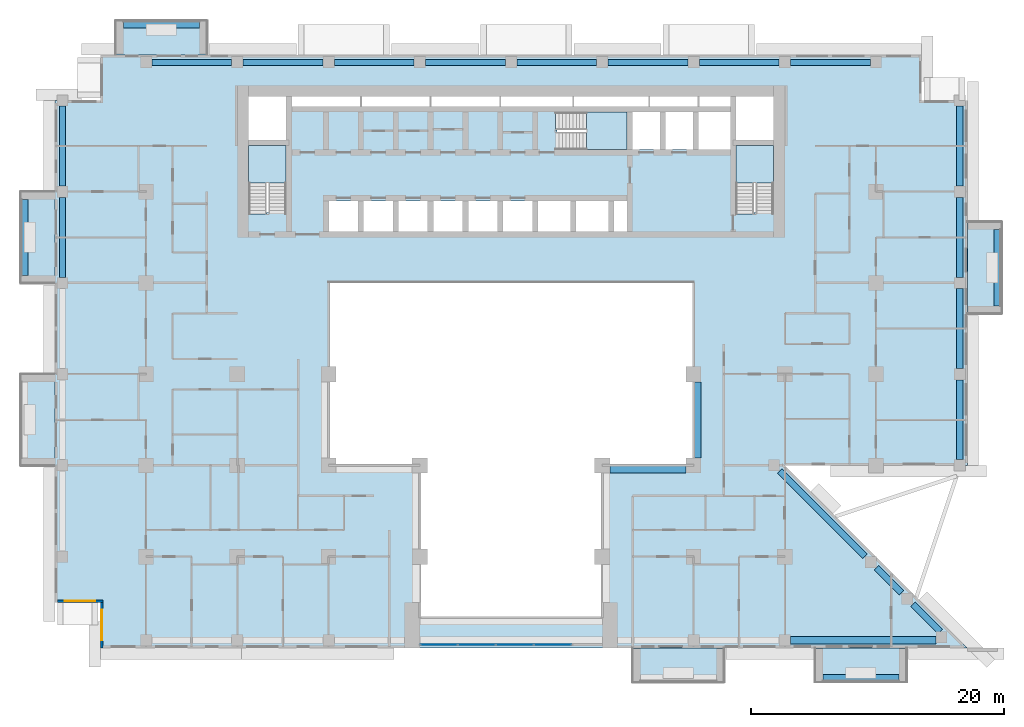
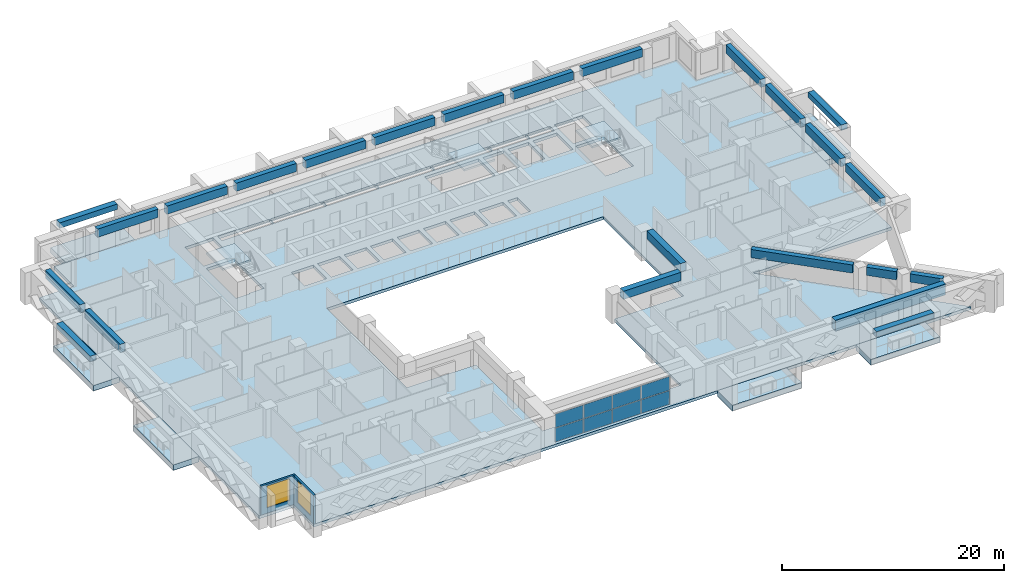
# One storey, part 5 of 17: 24 beams, 10 slabs, 8 plates, 2 walls, 2 windows, 2 openings, 4 elements without a shape of their own.
"""IFC4 building model written with IfcOpenShell, lengths in metres."""

from ifc_helpers import new_model, si_unit, direction, frame, frame_2d, origin, origin_2d, place, context, subcontext, project, spatial, polyline, rectangle, outline, extrude, source, transform, mapped, material, layer, layer_set, material_profile, profile_set, type_object, element, fill, aggregate, save


model = new_model("IFC4")

# Units and contexts
model_context = context("Model", 3, precision=1e-05, world=origin(), true_north=direction((0.0, 1.0)))
body_context = subcontext(model_context, "Body", "Model", "MODEL_VIEW")
ifc_project = project(units=[si_unit("LENGTHUNIT", "METRE"), si_unit("AREAUNIT", "SQUARE_METRE"), si_unit("VOLUMEUNIT", "CUBIC_METRE"), si_unit("PLANEANGLEUNIT", "RADIAN"), si_unit("MASSUNIT", "GRAM", prefix="KILO")], contexts=[model_context])

# Site, building, storey
site_placement = place(None, origin())
site = spatial("IfcSite", under=ifc_project, at=site_placement, CompositionType="ELEMENT")
building_placement = place(site_placement, origin())
building = spatial("IfcBuilding", under=site, at=building_placement, Name="Saffron Iwan Residences", CompositionType="ELEMENT")
storey_placement = place(building_placement, frame((0.0, 0.0, 100.5)))
storey = spatial("IfcBuildingStorey", under=building, at=storey_placement, Name="L26", CompositionType="ELEMENT", Elevation=100.5)

# Beams
ifc_material_1 = material(Name="Concrete C60/75", Category="concrete")
ifc_material_profile_1 = material_profile(ifc_material_1, rectangle(XDim=0.5, YDim=0.89990234375, at=origin_2d()), Name="RC 500x900")
ifc_profile_set_1 = profile_set([ifc_material_profile_1], Name="Concrete C60/75")
beam_type_1 = type_object("IfcBeamType", Name="SPANDREL BEAM RC 500x900 C60/75 TOP 3180", PredefinedType="SPANDREL", material=ifc_profile_set_1)
shared_shape_1 = source(origin(), body_context, "Body", "SweptSolid", [
    extrude(rectangle(XDim=0.5, YDim=0.89990234375, at=origin_2d()), origin(), (0.0, 0.0, 1.0), 6.300048828125),
])
for number, where, z_axis, x_axis, name in (
    (1, (85.800048828125, 54.75, 2.72998046875), (0.0, -1.0, 0.0), (1.0, 0.0, 0.0), "Spandrel beam"),
    (2, (85.800048828125, 61.949951171875, 2.72998046875), (0.0, -1.0, 0.0), (1.0, 0.0, 0.0), "Spandrel beam"),
    (3, (15.0, 70.050048828125, 2.72998046875), (0.0, 1.0, 0.0), (-1.0, 0.0, 0.0), "Spandrel beam"),
    (4, (85.800048828125, 76.35009765625, 2.72998046875), (0.0, -1.0, 0.0), (1.0, 0.0, 0.0), "Spandrel beam"),
    (5, (22.050048828125, 79.800048828125, 2.72998046875), (1.0, 0.0, 0.0), (0.0, 1.0, 0.0), "Spandrel beam"),
    (6, (29.25, 79.800048828125, 2.72998046875), (1.0, 0.0, 0.0), (0.0, 1.0, 0.0), "Spandrel beam"),
    (7, (36.449951171875, 79.800048828125, 2.72998046875), (1.0, 0.0, 0.0), (0.0, 1.0, 0.0), "Spandrel beam"),
    (8, (43.64990234375, 79.800048828125, 2.72998046875), (1.0, 0.0, 0.0), (0.0, 1.0, 0.0), "Spandrel beam"),
    (9, (58.050048828125, 79.800048828125, 2.72998046875), (1.0, 0.0, 0.0), (0.0, 1.0, 0.0), "Spandrel beam"),
    (10, (65.25, 79.800048828125, 2.72998046875), (1.0, 0.0, 0.0), (0.0, 1.0, 0.0), "Spandrel beam"),
    (11, (72.449951171875, 79.800048828125, 2.72998046875), (1.0, 0.0, 0.0), (0.0, 1.0, 0.0), "Spandrel beam"),
):
    element("IfcBeam", number, at=place(storey_placement, frame(where, z_axis=z_axis, x_axis=x_axis)), inside=storey, type_object=beam_type_1, Name=name, PredefinedType="SPANDREL", context=body_context, shape_type="MappedRepresentation", body=[
        mapped(shared_shape_1, transform((0.0, 0.0, 0.0))),
    ])
shared_shape_2 = source(origin(), body_context, "Body", "SweptSolid", [
    extrude(rectangle(XDim=0.5, YDim=0.89990234375, at=origin_2d()), origin(), (0.0, 0.0, 1.0), 3.046142578125),
])
beam_1_placement = place(storey_placement, frame((82.105712890625, 37.0458984375, 2.72998046875), z_axis=(0.707066705991, -0.70714685411, 0.0), x_axis=(0.70714685411, 0.707066705991, 0.0)))
element("IfcBeam", 12, at=beam_1_placement, inside=storey, type_object=beam_type_1, Name="Spandrel beam", PredefinedType="SPANDREL", context=body_context, shape_type="MappedRepresentation", body=[
    mapped(shared_shape_2, transform((0.0, 0.0, 0.0))),
])
shared_shape_3 = source(origin(), body_context, "Body", "SweptSolid", [
    extrude(rectangle(XDim=0.5, YDim=0.89990234375, at=origin_2d()), origin(), (0.0, 0.0, 1.0), 2.80029296875),
])
beam_2_placement = place(storey_placement, frame((79.2255859375, 39.92578125, 2.72998046875), z_axis=(0.707150371901, -0.707063187784, 0.0), x_axis=(0.707063187784, 0.707150371901, 0.0)))
element("IfcBeam", 13, at=beam_2_placement, inside=storey, type_object=beam_type_1, Name="Spandrel beam", PredefinedType="SPANDREL", context=body_context, shape_type="MappedRepresentation", body=[
    mapped(shared_shape_3, transform((0.0, 0.0, 0.0))),
])
shared_shape_4 = source(origin(), body_context, "Body", "SweptSolid", [
    extrude(rectangle(XDim=0.5, YDim=0.89990234375, at=origin_2d()), origin(), (0.0, 0.0, 1.0), 9.511474609375),
])
beam_3_placement = place(storey_placement, frame((71.60009765625, 47.551513671875, 2.72998046875), z_axis=(0.707093947217, -0.707119614923, 0.0), x_axis=(0.707119614923, 0.707093947217, 0.0)))
element("IfcBeam", 14, at=beam_3_placement, inside=storey, type_object=beam_type_1, Name="Spandrel beam", PredefinedType="SPANDREL", context=body_context, shape_type="MappedRepresentation", body=[
    mapped(shared_shape_4, transform((0.0, 0.0, 0.0))),
])
shared_shape_5 = source(origin(), body_context, "Body", "SweptSolid", [
    extrude(rectangle(XDim=0.5, YDim=0.89990234375, at=origin_2d()), origin(), (0.0, 0.0, 1.0), 6.2998046875),
])
for number, where, z_axis, x_axis, name in (
    (15, (15.0, 62.85009765625, 2.72998046875), (0.0, 1.0, 0.0), (-1.0, 0.0, 0.0), "Spandrel beam"),
    (16, (85.800048828125, 69.14990234375, 2.72998046875), (0.0, -1.0, 0.0), (1.0, 0.0, 0.0), "Spandrel beam"),
    (17, (50.85009765625, 79.800048828125, 2.72998046875), (1.0, 0.0, 0.0), (0.0, 1.0, 0.0), "Spandrel beam"),
):
    element("IfcBeam", number, at=place(storey_placement, frame(where, z_axis=z_axis, x_axis=x_axis)), inside=storey, type_object=beam_type_1, Name=name, PredefinedType="SPANDREL", context=body_context, shape_type="MappedRepresentation", body=[
        mapped(shared_shape_5, transform((0.0, 0.0, 0.0))),
    ])
ifc_material_profile_2 = material_profile(ifc_material_1, rectangle(XDim=0.60009765625, YDim=1.199951171875, at=origin_2d()), Name="RC 600x1200")
ifc_profile_set_2 = profile_set([ifc_material_profile_2], Name="Concrete C60/75")
beam_type_2 = type_object("IfcBeamType", Name="LINTEL BEAM RC 600x1200 C60/75 TOP 3180", PredefinedType="LINTEL", material=ifc_profile_set_2)
shared_shape_6 = source(origin(), body_context, "Body", "SweptSolid", [
    extrude(rectangle(XDim=0.60009765625, YDim=1.199951171875, at=origin_2d()), origin(), (0.0, 0.0, 1.0), 11.467529296875),
])
beam_4_placement = place(storey_placement, frame((83.91748046875, 34.199951171875, 2.580078125), z_axis=(-1.0, 0.0, 0.0), x_axis=(0.0, -1.0, 0.0)))
element("IfcBeam", 18, at=beam_4_placement, inside=storey, type_object=beam_type_2, Name="Lintel beam over the iwan", PredefinedType="LINTEL", context=body_context, shape_type="MappedRepresentation", body=[
    mapped(shared_shape_6, transform((0.0, 0.0, 0.0))),
])
ifc_material_profile_3 = material_profile(ifc_material_1, rectangle(XDim=0.60009765625, YDim=0.89990234375, at=origin_2d()), Name="RC 600x900")
ifc_profile_set_3 = profile_set([ifc_material_profile_3], Name="Concrete C60/75")
beam_type_3 = type_object("IfcBeamType", Name="BEAM RC 600x900 C60/75 TOP 3180", PredefinedType="BEAM", material=ifc_profile_set_3)
shared_shape_7 = source(origin(), body_context, "Body", "SweptSolid", [
    extrude(rectangle(XDim=0.60009765625, YDim=0.89990234375, at=origin_2d()), origin(), (0.0, 0.0, 1.0), 6.0),
])
for number, where, z_axis, x_axis, name in (
    (19, (64.199951171875, 47.699951171875, 2.72998046875), (-1.0, 0.0, 0.0), (0.0, -1.0, 0.0), "Atrium edge beam"),
    (20, (65.10009765625, 54.60009765625, 2.72998046875), (0.0, -1.0, 0.0), (1.0, 0.0, 0.0), "Atrium edge beam"),
):
    element("IfcBeam", number, at=place(storey_placement, frame(where, z_axis=z_axis, x_axis=x_axis)), inside=storey, type_object=beam_type_3, Name=name, PredefinedType="BEAM", context=body_context, shape_type="MappedRepresentation", body=[
        mapped(shared_shape_7, transform((0.0, 0.0, 0.0))),
    ])
ifc_material_2 = material(Name="Concrete C50/60 white painted", Category="concrete")
ifc_material_profile_4 = material_profile(ifc_material_2, rectangle(XDim=0.60009765625, YDim=0.60009765625, at=origin_2d()), Name="BALCONY FASCIA BEAM 600 x 600")
ifc_profile_set_4 = profile_set([ifc_material_profile_4], Name="Concrete C50/60 white painted")
beam_type_4 = type_object("IfcBeamType", Name="BALCONY FASCIA BEAM 600 x 600", PredefinedType="BEAM", material=ifc_profile_set_4)
shared_shape_8 = source(origin(), body_context, "Body", "SweptSolid", [
    extrude(rectangle(XDim=0.60009765625, YDim=0.60009765625, at=origin_2d()), origin(), (0.0, 0.0, 1.0), 6.0),
])
for number, where, z_axis, x_axis, name in (
    (21, (88.800048828125, 60.60009765625, 2.550048828125), (0.0, 1.0, 0.0), (-1.0, 0.0, 0.0), "Balcony fascia beam L26 F2-0"),
    (22, (25.800048828125, 82.800048828125, 2.550048828125), (-1.0, 0.0, 0.0), (0.0, -1.0, 0.0), "Balcony fascia beam L26 F5-3"),
    (23, (12.0, 69.0, 2.550048828125), (0.0, -1.0, 0.0), (1.0, 0.0, 0.0), "Balcony fascia beam L26 F8-0"),
    (24, (75.0, 31.199951171875, 2.550048828125), (1.0, 0.0, 0.0), (0.0, 1.0, 0.0), "Balcony fascia beam L26 11-2"),
):
    element("IfcBeam", number, at=place(storey_placement, frame(where, z_axis=z_axis, x_axis=x_axis)), inside=storey, type_object=beam_type_4, Name=name, PredefinedType="BEAM", context=body_context, shape_type="MappedRepresentation", body=[
        mapped(shared_shape_8, transform((0.0, 0.0, 0.0))),
    ])

# Slabs
ifc_layer_1 = layer(ifc_material_2, 0.60009765625)
ifc_layer_set_1 = layer_set([ifc_layer_1], Name="Concrete C50/60 white painted")
slab_type_1 = type_object("IfcSlabType", Name="BALCONY FRAME SLAB 600", PredefinedType="FLOOR", material=ifc_layer_set_1)
slab_1_placement = place(storey_placement, frame((0.0, 0.0, -0.60009765625)))
element("IfcSlab", 25, at=slab_1_placement, inside=storey, type_object=slab_type_1, Name="Balcony frame slab L26 F2-0", PredefinedType="FLOOR", context=body_context, shape_type="SweptSolid", body=[
    extrude(outline(polyline([(89.10009765625, 60.0), (89.10009765625, 67.199951171875), (86.39990234375, 67.199951171875), (86.39990234375, 60.0), (89.10009765625, 60.0)])), origin(), (0.0, 0.0, 1.0), 0.60009765625),
])
slab_2_placement = place(storey_placement, frame((0.0, 0.0, -0.60009765625)))
element("IfcSlab", 26, at=slab_2_placement, inside=storey, type_object=slab_type_1, Name="Balcony frame slab L26 F5-3", PredefinedType="FLOOR", context=body_context, shape_type="SweptSolid", body=[
    extrude(outline(polyline([(26.39990234375, 83.10009765625), (19.199951171875, 83.10009765625), (19.199951171875, 80.39990234375), (26.39990234375, 80.39990234375), (26.39990234375, 83.10009765625)])), origin(), (0.0, 0.0, 1.0), 0.60009765625),
])
slab_3_placement = place(storey_placement, frame((0.0, 0.0, -0.60009765625)))
element("IfcSlab", 27, at=slab_3_placement, inside=storey, type_object=slab_type_1, Name="Balcony frame slab L26 F8-0", PredefinedType="FLOOR", context=body_context, shape_type="SweptSolid", body=[
    extrude(outline(polyline([(11.699951171875, 69.60009765625), (11.699951171875, 62.39990234375), (14.39990234375, 62.39990234375), (14.39990234375, 69.60009765625), (11.699951171875, 69.60009765625)])), origin(), (0.0, 0.0, 1.0), 0.60009765625),
])
slab_4_placement = place(storey_placement, frame((0.0, 0.0, -0.60009765625)))
element("IfcSlab", 28, at=slab_4_placement, inside=storey, type_object=slab_type_1, Name="Balcony frame slab L26 F8-1", PredefinedType="FLOOR", context=body_context, shape_type="SweptSolid", body=[
    extrude(outline(polyline([(11.699951171875, 55.199951171875), (11.699951171875, 48.0), (14.39990234375, 48.0), (14.39990234375, 55.199951171875), (11.699951171875, 55.199951171875)])), origin(), (0.0, 0.0, 1.0), 0.60009765625),
])
slab_5_placement = place(storey_placement, frame((0.0, 0.0, -0.60009765625)))
element("IfcSlab", 29, at=slab_5_placement, inside=storey, type_object=slab_type_1, Name="Balcony frame slab L26 11-1", PredefinedType="FLOOR", context=body_context, shape_type="SweptSolid", body=[
    extrude(outline(polyline([(60.0, 30.89990234375), (67.199951171875, 30.89990234375), (67.199951171875, 33.60009765625), (60.0, 33.60009765625), (60.0, 30.89990234375)])), origin(), (0.0, 0.0, 1.0), 0.60009765625),
])
slab_6_placement = place(storey_placement, frame((0.0, 0.0, -0.60009765625)))
element("IfcSlab", 30, at=slab_6_placement, inside=storey, type_object=slab_type_1, Name="Balcony frame slab L26 11-2", PredefinedType="FLOOR", context=body_context, shape_type="SweptSolid", body=[
    extrude(outline(polyline([(74.39990234375, 30.89990234375), (81.60009765625, 30.89990234375), (81.60009765625, 33.60009765625), (74.39990234375, 33.60009765625), (74.39990234375, 30.89990234375)])), origin(), (0.0, 0.0, 1.0), 0.60009765625),
])
ifc_material_3 = material(Name="Concrete C40/50", Category="concrete")
ifc_layer_2 = layer(ifc_material_3, 0.320068359375)
ifc_layer_set_2 = layer_set([ifc_layer_2], Name="Concrete C40/50")
slab_type_2 = type_object("IfcSlabType", Name="PT PLATE 320 C40/50", PredefinedType="FLOOR", material=ifc_layer_set_2)
slab_7_placement = place(storey_placement, frame((0.0, 0.0, -0.320068359375)))
element("IfcSlab", 31, at=slab_7_placement, inside=storey, type_object=slab_type_2, Name="Floor slab L26", PredefinedType="FLOOR", context=body_context, shape_type="SweptSolid", body=[
    extrude(outline(polyline([(14.39990234375, 37.199951171875), (14.39990234375, 76.800048828125), (18.0, 76.800048828125), (18.0, 80.39990234375), (82.800048828125, 80.39990234375), (82.800048828125, 76.800048828125), (86.39990234375, 76.800048828125), (86.39990234375, 48.0), (72.0, 48.0), (86.39990234375, 33.60009765625), (18.0, 33.60009765625), (18.0, 37.199951171875), (14.39990234375, 37.199951171875)]), holes=[polyline([(64.800048828125, 48.0), (64.800048828125, 62.39990234375), (36.0, 62.39990234375), (36.0, 48.0), (43.199951171875, 48.0), (43.199951171875, 36.0), (57.60009765625, 36.0), (57.60009765625, 48.0), (64.800048828125, 48.0)]), polyline([(38.324951171875, 68.875), (36.02490234375, 68.875), (36.02490234375, 66.449951171875), (38.324951171875, 66.449951171875), (38.324951171875, 68.875)]), polyline([(41.074951171875, 66.449951171875), (41.074951171875, 68.875), (38.77490234375, 68.875), (38.77490234375, 66.449951171875), (41.074951171875, 66.449951171875)]), polyline([(43.824951171875, 66.449951171875), (43.824951171875, 68.875), (41.52490234375, 68.875), (41.52490234375, 66.449951171875), (43.824951171875, 66.449951171875)]), polyline([(46.574951171875, 68.875), (44.27490234375, 68.875), (44.27490234375, 66.449951171875), (46.574951171875, 66.449951171875), (46.574951171875, 68.875)]), polyline([(49.324951171875, 66.449951171875), (49.324951171875, 68.875), (47.02490234375, 68.875), (47.02490234375, 66.449951171875), (49.324951171875, 66.449951171875)]), polyline([(52.074951171875, 66.449951171875), (52.074951171875, 68.875), (49.77490234375, 68.875), (49.77490234375, 66.449951171875), (52.074951171875, 66.449951171875)]), polyline([(29.699951171875, 73.25), (29.699951171875, 67.949951171875), (29.699951171875, 67.8505859375), (31.10009765625, 67.8505859375), (31.10009765625, 67.949951171875), (32.64990234375, 67.949951171875), (32.64990234375, 73.25), (29.699951171875, 73.25)]), polyline([(32.64990234375, 73.699951171875), (32.64990234375, 77.10009765625), (29.699951171875, 77.10009765625), (29.699951171875, 73.699951171875), (32.64990234375, 73.699951171875)]), polyline([(38.5, 76.324951171875), (38.5, 77.10009765625), (33.10009765625, 77.10009765625), (33.10009765625, 76.324951171875), (38.5, 76.324951171875)]), polyline([(44.0, 77.10009765625), (38.60009765625, 77.10009765625), (38.60009765625, 76.324951171875), (44.0, 76.324951171875), (44.0, 77.10009765625)]), polyline([(49.5, 76.324951171875), (49.5, 77.10009765625), (44.10009765625, 77.10009765625), (44.10009765625, 76.324951171875), (49.5, 76.324951171875)]), polyline([(55.25, 76.324951171875), (55.25, 77.10009765625), (49.60009765625, 77.10009765625), (49.60009765625, 76.324951171875), (55.25, 76.324951171875)]), polyline([(55.074951171875, 68.875), (52.52490234375, 68.875), (52.52490234375, 66.449951171875), (55.074951171875, 66.449951171875), (55.074951171875, 68.875)]), polyline([(58.074951171875, 66.449951171875), (58.074951171875, 68.875), (55.52490234375, 68.875), (55.52490234375, 66.449951171875), (58.074951171875, 66.449951171875)]), polyline([(59.550048828125, 66.449951171875), (59.550048828125, 68.875), (58.52490234375, 68.875), (58.52490234375, 66.449951171875), (59.550048828125, 66.449951171875)]), polyline([(68.14990234375, 73.25), (68.14990234375, 67.949951171875), (68.14990234375, 67.8505859375), (69.550048828125, 67.8505859375), (69.550048828125, 67.949951171875), (71.10009765625, 67.949951171875), (71.10009765625, 73.25), (68.14990234375, 73.25)]), polyline([(53.925537109375, 74.47509765625), (54.02490234375, 74.47509765625), (54.02490234375, 72.925048828125), (59.550048828125, 72.925048828125), (59.550048828125, 75.875), (54.02490234375, 75.875), (53.925537109375, 75.875), (53.925537109375, 74.47509765625)]), polyline([(62.14990234375, 72.925048828125), (62.14990234375, 75.875), (60.0, 75.875), (60.0, 72.925048828125), (62.14990234375, 72.925048828125)]), polyline([(64.75, 75.875), (62.60009765625, 75.875), (62.60009765625, 72.925048828125), (64.75, 72.925048828125), (64.75, 75.875)]), polyline([(67.699951171875, 72.925048828125), (67.699951171875, 75.875), (65.199951171875, 75.875), (65.199951171875, 72.925048828125), (67.699951171875, 72.925048828125)]), polyline([(71.10009765625, 73.699951171875), (71.10009765625, 77.10009765625), (68.14990234375, 77.10009765625), (68.14990234375, 73.699951171875), (71.10009765625, 73.699951171875)]), polyline([(61.25, 77.10009765625), (55.35009765625, 77.10009765625), (55.35009765625, 76.324951171875), (61.25, 76.324951171875), (61.25, 77.10009765625)]), polyline([(65.14990234375, 76.324951171875), (65.14990234375, 77.10009765625), (61.35009765625, 77.10009765625), (61.35009765625, 76.324951171875), (65.14990234375, 76.324951171875)]), polyline([(67.699951171875, 76.324951171875), (67.699951171875, 77.10009765625), (65.25, 77.10009765625), (65.25, 76.324951171875), (67.699951171875, 76.324951171875)])]), origin(), (0.0, 0.0, 1.0), 0.320068359375),
])

# Stair, slab
ifc_material_4 = material(Name="Concrete C50/60", Category="concrete")
stair_type = type_object("IfcStairType", Name="Stair ST-CORE", PredefinedType="HALF_TURN_STAIR", material=ifc_material_4)
stair_1_placement = place(storey_placement, origin())
stair_1 = element("IfcStair", 32, at=stair_1_placement, inside=storey, type_object=stair_type, Name="L26 Exit Stair ST-W", PredefinedType="HALF_TURN_STAIR")
ifc_layer_3 = layer(ifc_material_4, 0.199951171875)
ifc_layer_set_3 = layer_set([ifc_layer_3], Name="Concrete C50/60")
slab_type_3 = type_object("IfcSlabType", Name="Stair landing SL-RC", PredefinedType="LANDING", material=ifc_layer_set_3)
slab_8_placement = place(storey_placement, frame((0.0, 0.0, 1.5498046875)))
slab_8 = element("IfcSlab", 33, at=slab_8_placement, type_object=slab_type_3, Name="ST-W landing 1", PredefinedType="LANDING", context=body_context, shape_type="SweptSolid", body=[
    extrude(outline(polyline([(32.64990234375, 70.280029296875), (32.64990234375, 73.25), (29.699951171875, 73.25), (29.699951171875, 70.280029296875), (32.64990234375, 70.280029296875)])), origin(), (0.0, 0.0, 1.0), 0.2001953125),
])
aggregate(stair_1, [slab_8])

stair_2_placement = place(storey_placement, origin())
stair_2 = element("IfcStair", 34, at=stair_2_placement, inside=storey, type_object=stair_type, Name="L26 Exit Stair ST-C", PredefinedType="HALF_TURN_STAIR")
slab_9_placement = place(storey_placement, frame((0.0, 0.0, 1.5498046875)))
slab_9 = element("IfcSlab", 35, at=slab_9_placement, type_object=slab_type_3, Name="ST-C landing 1", PredefinedType="LANDING", context=body_context, shape_type="SweptSolid", body=[
    extrude(outline(polyline([(56.35498046875, 72.925048828125), (59.550048828125, 72.925048828125), (59.550048828125, 75.875), (56.35498046875, 75.875), (56.35498046875, 72.925048828125)])), origin(), (0.0, 0.0, 1.0), 0.2001953125),
])
aggregate(stair_2, [slab_9])

stair_3_placement = place(storey_placement, origin())
stair_3 = element("IfcStair", 36, at=stair_3_placement, inside=storey, type_object=stair_type, Name="L26 Exit Stair ST-E", PredefinedType="HALF_TURN_STAIR")
slab_10_placement = place(storey_placement, frame((0.0, 0.0, 1.5498046875)))
slab_10 = element("IfcSlab", 37, at=slab_10_placement, type_object=slab_type_3, Name="ST-E landing 1", PredefinedType="LANDING", context=body_context, shape_type="SweptSolid", body=[
    extrude(outline(polyline([(71.10009765625, 70.280029296875), (71.10009765625, 73.25), (68.14990234375, 73.25), (68.14990234375, 70.280029296875), (71.10009765625, 70.280029296875)])), origin(), (0.0, 0.0, 1.0), 0.2001953125),
])
aggregate(stair_3, [slab_10])

# Curtain wall, plates
ifc_material_5 = material(Name="Clear glass, laminated double glazed", Category="glass")
ifc_layer_4 = layer(ifc_material_5, 0.199951171875)
ifc_layer_set_4 = layer_set([ifc_layer_4], Name="Clear glass, laminated double glazed")
curtain_wall_type = type_object("IfcCurtainWallType", Name="CW-B IWAN PORTAL", PredefinedType="NOTDEFINED", material=ifc_layer_set_4)
curtain_wall_placement = place(storey_placement, origin())
curtain_wall = element("IfcCurtainWall", 38, at=curtain_wall_placement, inside=storey, type_object=curtain_wall_type, Name="Iwan portal glazing L26.1", PredefinedType="NOTDEFINED")
ifc_layer_5 = layer(ifc_material_5, 0.028076171875)
ifc_layer_set_5 = layer_set([ifc_layer_5], Name="Clear glass, laminated double glazed")
plate_type = type_object("IfcPlateType", Name="CW-B PANEL 28", PredefinedType="CURTAIN_PANEL", material=ifc_layer_set_5)
shared_shape_9 = source(origin(), body_context, "Body", "SweptSolid", [
    extrude(rectangle(XDim=2.909912109375, YDim=0.028076171875, at=origin_2d()), origin(), (0.0, 0.0, 1.0), 1.5),
])
plate_1_placement = place(storey_placement, frame((44.715087890625, 33.85009765625, 0.06005859375), z_axis=(0.0, 0.0, 1.0), x_axis=(1.0, 0.0, 0.0)))
plate_1 = element("IfcPlate", 39, at=plate_1_placement, type_object=plate_type, Name="CW-B panel 1.1", PredefinedType="CURTAIN_PANEL", context=body_context, shape_type="MappedRepresentation", body=[
    mapped(shared_shape_9, transform((0.0, 0.0, 0.0))),
])
plate_2_placement = place(storey_placement, frame((44.715087890625, 33.85009765625, 1.6201171875), z_axis=(0.0, 0.0, 1.0), x_axis=(1.0, 0.0, 0.0)))
plate_2 = element("IfcPlate", 40, at=plate_2_placement, type_object=plate_type, Name="CW-B panel 1.2", PredefinedType="CURTAIN_PANEL", context=body_context, shape_type="MappedRepresentation", body=[
    mapped(shared_shape_9, transform((0.0, 0.0, 0.0))),
])
plate_3_placement = place(storey_placement, frame((53.68505859375, 33.85009765625, 0.06005859375), z_axis=(0.0, 0.0, 1.0), x_axis=(1.0, 0.0, 0.0)))
plate_3 = element("IfcPlate", 41, at=plate_3_placement, type_object=plate_type, Name="CW-B panel 4.1", PredefinedType="CURTAIN_PANEL", context=body_context, shape_type="MappedRepresentation", body=[
    mapped(shared_shape_9, transform((0.0, 0.0, 0.0))),
])
plate_4_placement = place(storey_placement, frame((53.68505859375, 33.85009765625, 1.6201171875), z_axis=(0.0, 0.0, 1.0), x_axis=(1.0, 0.0, 0.0)))
plate_4 = element("IfcPlate", 42, at=plate_4_placement, type_object=plate_type, Name="CW-B panel 4.2", PredefinedType="CURTAIN_PANEL", context=body_context, shape_type="MappedRepresentation", body=[
    mapped(shared_shape_9, transform((0.0, 0.0, 0.0))),
])
shared_shape_10 = source(origin(), body_context, "Body", "SweptSolid", [
    extrude(rectangle(XDim=2.93994140625, YDim=0.028076171875, at=origin_2d()), origin(), (0.0, 0.0, 1.0), 1.5),
])
plate_5_placement = place(storey_placement, frame((47.699951171875, 33.85009765625, 0.06005859375), z_axis=(0.0, 0.0, 1.0), x_axis=(1.0, 0.0, 0.0)))
plate_5 = element("IfcPlate", 43, at=plate_5_placement, type_object=plate_type, Name="CW-B panel 2.1", PredefinedType="CURTAIN_PANEL", context=body_context, shape_type="MappedRepresentation", body=[
    mapped(shared_shape_10, transform((0.0, 0.0, 0.0))),
])
plate_6_placement = place(storey_placement, frame((47.699951171875, 33.85009765625, 1.6201171875), z_axis=(0.0, 0.0, 1.0), x_axis=(1.0, 0.0, 0.0)))
plate_6 = element("IfcPlate", 44, at=plate_6_placement, type_object=plate_type, Name="CW-B panel 2.2", PredefinedType="CURTAIN_PANEL", context=body_context, shape_type="MappedRepresentation", body=[
    mapped(shared_shape_10, transform((0.0, 0.0, 0.0))),
])
plate_7_placement = place(storey_placement, frame((50.699951171875, 33.85009765625, 0.06005859375), z_axis=(0.0, 0.0, 1.0), x_axis=(1.0, 0.0, 0.0)))
plate_7 = element("IfcPlate", 45, at=plate_7_placement, type_object=plate_type, Name="CW-B panel 3.1", PredefinedType="CURTAIN_PANEL", context=body_context, shape_type="MappedRepresentation", body=[
    mapped(shared_shape_10, transform((0.0, 0.0, 0.0))),
])
plate_8_placement = place(storey_placement, frame((50.699951171875, 33.85009765625, 1.6201171875), z_axis=(0.0, 0.0, 1.0), x_axis=(1.0, 0.0, 0.0)))
plate_8 = element("IfcPlate", 46, at=plate_8_placement, type_object=plate_type, Name="CW-B panel 3.2", PredefinedType="CURTAIN_PANEL", context=body_context, shape_type="MappedRepresentation", body=[
    mapped(shared_shape_10, transform((0.0, 0.0, 0.0))),
])
aggregate(curtain_wall, [plate_1, plate_2, plate_5, plate_6, plate_7, plate_8, plate_3, plate_4])

# Wall, opening, window
ifc_layer_6 = layer(ifc_material_3, 0.199951171875)
ifc_layer_set_6 = layer_set([ifc_layer_6], Name="Concrete C40/50")
wall_type = type_object("IfcWallType", Name="EXTERNAL WALL 200", PredefinedType="SOLIDWALL", material=ifc_layer_set_6)
wall_1_placement = place(storey_placement, frame((14.60009765625, 37.300048828125, 0.0), z_axis=(0.0, 0.0, 1.0), x_axis=(1.0, 0.0, 0.0)))
wall_1 = element("IfcWall", 47, at=wall_1_placement, inside=storey, type_object=wall_type, Name="External wall L26 F9.0", PredefinedType="SOLIDWALL", context=body_context, shape_type="SweptSolid", body=[
    extrude(rectangle(XDim=3.599853515625, YDim=0.199951171875, at=frame_2d((1.7998046875, 0.0))), origin(), (0.0, 0.0, 1.0), 3.179931640625),
])
opening_1_placement = place(wall_1_placement, frame((0.60009765625, 0.0, 0.60009765625)))
opening_1 = element("IfcOpeningElement", 48, at=opening_1_placement, cuts=wall_1, Name="Opening W1", PredefinedType="OPENING", context=body_context, shape_type="SweptSolid", body=[
    extrude(rectangle(XDim=2.39990234375, YDim=2.39990234375, at=frame_2d((1.199951171875, 1.199951171875))), frame((0.0, 0.10986328125, 0.0), z_axis=(0.0, -1.0, 0.0), x_axis=(1.0, 0.0, 0.0)), (0.0, 0.0, 1.0), 0.219970703125),
])
window_type = type_object("IfcWindowType", Name="WINDOW 2400 x 2400", PartitioningType="DOUBLE_PANEL_VERTICAL", PredefinedType="WINDOW", material=ifc_material_5)
window_1_placement = place(opening_1_placement, origin())
window_1 = element("IfcWindow", 49, at=window_1_placement, inside=storey, type_object=window_type, Name="Window L26 F9.0", OverallHeight=2.39990234375, OverallWidth=2.39990234375, PartitioningType="DOUBLE_PANEL_VERTICAL", PredefinedType="WINDOW", context=body_context, shape_type="SweptSolid", body=[
    extrude(rectangle(XDim=2.39990234375, YDim=2.39990234375, at=frame_2d((1.199951171875, 1.199951171875))), frame((0.0, 0.030029296875, 0.0), z_axis=(0.0, -1.0, 0.0), x_axis=(1.0, 0.0, 0.0)), (0.0, 0.0, 1.0), 0.06005859375),
])
fill(opening_1, window_1)

wall_2_placement = place(storey_placement, frame((18.10009765625, 37.199951171875, 0.0), z_axis=(0.0, 0.0, 1.0), x_axis=(0.0, -1.0, 0.0)))
wall_2 = element("IfcWall", 50, at=wall_2_placement, inside=storey, type_object=wall_type, Name="External wall L26 F10.0", PredefinedType="SOLIDWALL", context=body_context, shape_type="SweptSolid", body=[
    extrude(rectangle(XDim=3.599853515625, YDim=0.199951171875, at=frame_2d((1.7998046875, 0.0))), origin(), (0.0, 0.0, 1.0), 3.179931640625),
])
opening_2_placement = place(wall_2_placement, frame((0.60009765625, 0.0, 0.60009765625)))
opening_2 = element("IfcOpeningElement", 51, at=opening_2_placement, cuts=wall_2, Name="Opening W1", PredefinedType="OPENING", context=body_context, shape_type="SweptSolid", body=[
    extrude(rectangle(XDim=2.39990234375, YDim=2.39990234375, at=frame_2d((1.199951171875, 1.199951171875))), frame((0.0, 0.10986328125, 0.0), z_axis=(0.0, -1.0, 0.0), x_axis=(1.0, 0.0, 0.0)), (0.0, 0.0, 1.0), 0.219970703125),
])
window_2_placement = place(opening_2_placement, origin())
window_2 = element("IfcWindow", 52, at=window_2_placement, inside=storey, type_object=window_type, Name="Window L26 F10.0", OverallHeight=2.39990234375, OverallWidth=2.39990234375, PartitioningType="DOUBLE_PANEL_VERTICAL", PredefinedType="WINDOW", context=body_context, shape_type="SweptSolid", body=[
    extrude(rectangle(XDim=2.39990234375, YDim=2.39990234375, at=frame_2d((1.199951171875, 1.199951171875))), frame((0.0, 0.030029296875, 0.0), z_axis=(0.0, -1.0, 0.0), x_axis=(1.0, 0.0, 0.0)), (0.0, 0.0, 1.0), 0.06005859375),
])
fill(opening_2, window_2)

save(model, "model.ifc")
